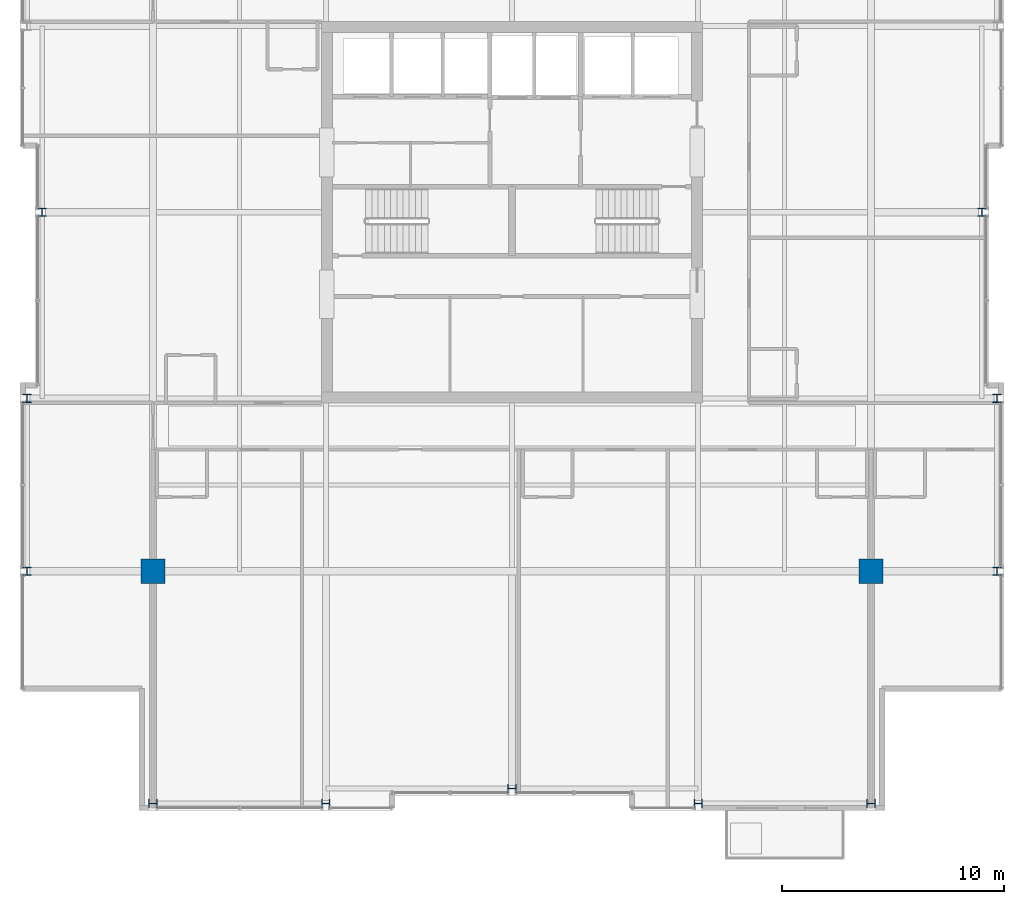
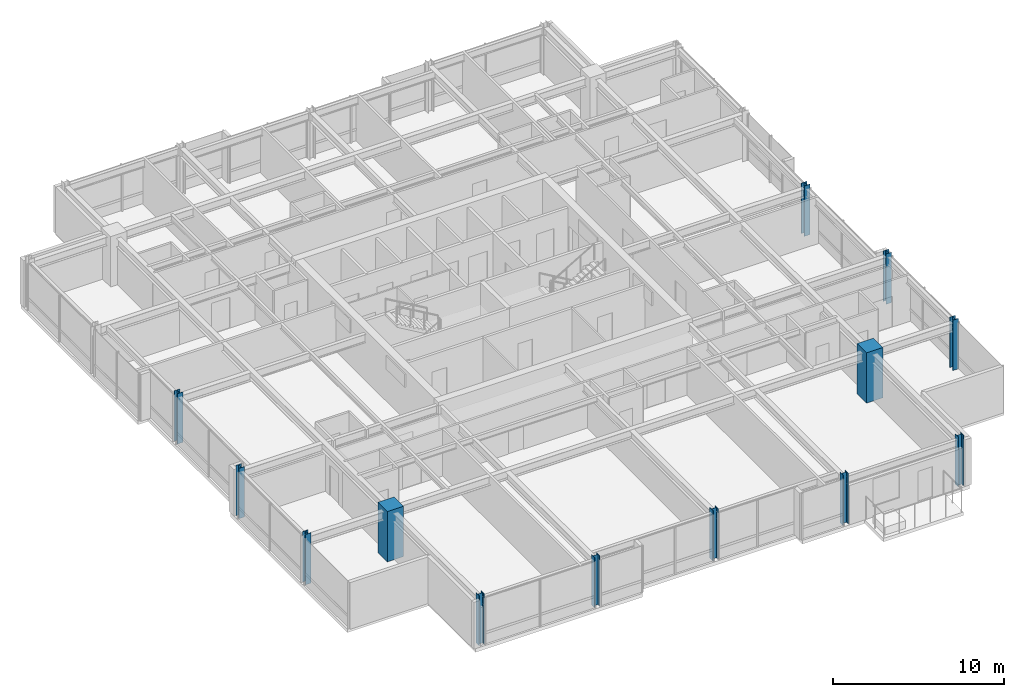
# One storey, part 1 of 31: 13 columns.
"""IFC4 building model written with IfcOpenShell, lengths in metres."""

from ifc_helpers import new_model, si_unit, direction, frame, origin, origin_2d, place, context, subcontext, project, spatial, rectangle, i_section, extrude, material, material_profile, profile_set, type_object, element, save


model = new_model("IFC4")

# Units and contexts
model_context = context("Model", 3, precision=1e-05, world=origin(), true_north=direction((0.0, 1.0)))
body_context = subcontext(model_context, "Body", "Model", "MODEL_VIEW")
ifc_project = project(units=[si_unit("LENGTHUNIT", "METRE"), si_unit("AREAUNIT", "SQUARE_METRE"), si_unit("VOLUMEUNIT", "CUBIC_METRE"), si_unit("PLANEANGLEUNIT", "RADIAN"), si_unit("MASSUNIT", "GRAM", prefix="KILO")], contexts=[model_context])

# Site, building, storey
site_placement = place(None, origin())
site = spatial("IfcSite", under=ifc_project, at=site_placement, CompositionType="ELEMENT")
building_placement = place(site_placement, origin())
building = spatial("IfcBuilding", under=site, at=building_placement, Name="Drelvath Grand Hotel", CompositionType="ELEMENT")
storey_placement = place(building_placement, frame((0.0, 0.0, 244.699951171875)))
storey = spatial("IfcBuildingStorey", under=building, at=storey_placement, Name="L64", CompositionType="ELEMENT", Elevation=244.699951171875)

# Columns
ifc_material_1 = material(Name="Concrete f'c 55 MPa", Category="concrete")
ifc_material_profile_1 = material_profile(ifc_material_1, rectangle(XDim=1.10009765625, YDim=1.10009765625, at=origin_2d()), Name="MC1100X1100")
ifc_profile_set_1 = profile_set([ifc_material_profile_1], Name="Concrete f'c 55 MPa")
column_type_1 = type_object("IfcColumnType", Name="Composite Mega Column MC1100X1100", PredefinedType="COLUMN", material=ifc_profile_set_1)
for number, where, z_axis, x_axis, name in (
    (1, (-16.199951171875, 10.800048828125, 0.0), (0.0, 0.0, 1.0), (1.0, 0.0, 0.0), "L64 Composite Mega Column MC-SW"),
    (2, (16.199951171875, 10.800048828125, 0.0), (0.0, 0.0, 1.0), (1.0, 0.0, 0.0), "L64 Composite Mega Column MC-SE"),
):
    element("IfcColumn", number, at=place(storey_placement, frame(where, z_axis=z_axis, x_axis=x_axis)), inside=storey, type_object=column_type_1, Name=name, PredefinedType="COLUMN", context=body_context, shape_type="SweptSolid", body=[
        extrude(rectangle(XDim=1.10009765625, YDim=1.10009765625, at=origin_2d()), origin(), (0.0, 0.0, 1.0), 3.60009765625),
    ])
ifc_material_2 = material(Name="Steel ASTM A913 Gr 65", Category="steel")
ifc_material_profile_2 = material_profile(ifc_material_2, i_section(OverallWidth=0.3740234375, OverallDepth=0.372314453125, WebThickness=0.016357421875, FlangeThickness=0.026123046875, FilletRadius=0.02490234375, at=origin_2d()), Name="W14X132")
ifc_profile_set_2 = profile_set([ifc_material_profile_2], Name="Steel ASTM A913 Gr 65")
column_type_2 = type_object("IfcColumnType", Name="Perimeter Steel Column W14X132", PredefinedType="COLUMN", material=ifc_profile_set_2)
for number, where, z_axis, x_axis, name in (
    (3, (-21.8798828125, 10.800048828125, 0.0), (0.0, 0.0, 1.0), (1.0, 0.0, 0.0), "L64 Structural Column TCW-C"),
    (4, (21.8798828125, 10.800048828125, 0.0), (0.0, 0.0, 1.0), (1.0, 0.0, 0.0), "L64 Structural Column TCE-C"),
    (5, (-21.8798828125, 18.60009765625, 0.0), (0.0, 0.0, 1.0), (1.0, 0.0, 0.0), "L64 Structural Column TCW-D"),
    (6, (21.8798828125, 18.60009765625, 0.0), (0.0, 0.0, 1.0), (1.0, 0.0, 0.0), "L64 Structural Column TCE-D"),
    (7, (-21.199951171875, 27.0, 0.0), (0.0, 0.0, 1.0), (1.0, 0.0, 0.0), "L64 Structural Column TCW-E"),
    (8, (21.199951171875, 27.0, 0.0), (0.0, 0.0, 1.0), (1.0, 0.0, 0.0), "L64 Structural Column TCE-E"),
    (9, (-16.199951171875, 0.320068359375, 0.0), (0.0, 0.0, 1.0), (0.0, 1.0, 0.0), "L64 Structural Column TCS-3"),
    (10, (-8.39990234375, 0.320068359375, 0.0), (0.0, 0.0, 1.0), (0.0, 1.0, 0.0), "L64 Structural Column TCS-4"),
    (11, (0.0, 1.0, 0.0), (0.0, 0.0, 1.0), (0.0, 1.0, 0.0), "L64 Structural Column TCS-5"),
    (12, (8.39990234375, 0.320068359375, 0.0), (0.0, 0.0, 1.0), (0.0, 1.0, 0.0), "L64 Structural Column TCS-6"),
    (13, (16.199951171875, 0.320068359375, 0.0), (0.0, 0.0, 1.0), (0.0, 1.0, 0.0), "L64 Structural Column TCS-7"),
):
    element("IfcColumn", number, at=place(storey_placement, frame(where, z_axis=z_axis, x_axis=x_axis)), inside=storey, type_object=column_type_2, Name=name, PredefinedType="COLUMN", context=body_context, shape_type="SweptSolid", body=[
        extrude(i_section(OverallWidth=0.3740234375, OverallDepth=0.372314453125, WebThickness=0.016357421875, FlangeThickness=0.026123046875, FilletRadius=0.02490234375, at=origin_2d()), origin(), (0.0, 0.0, 1.0), 3.59716796875),
    ])

save(model, "model.ifc")
